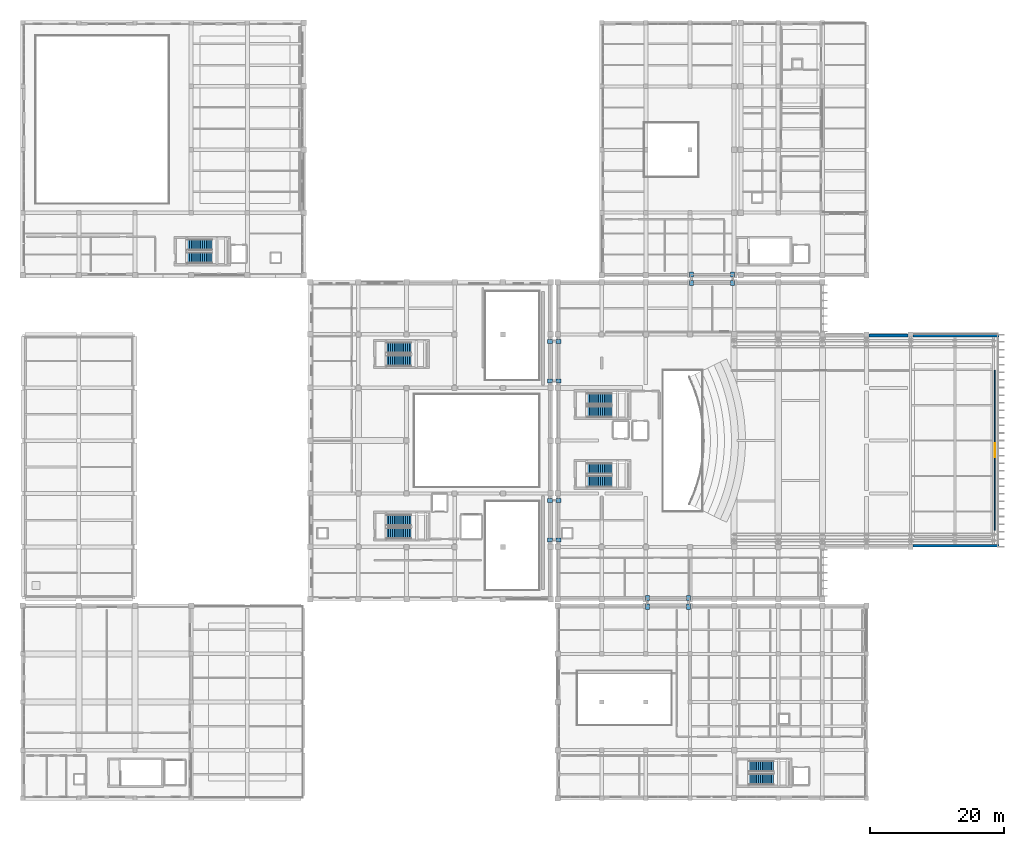
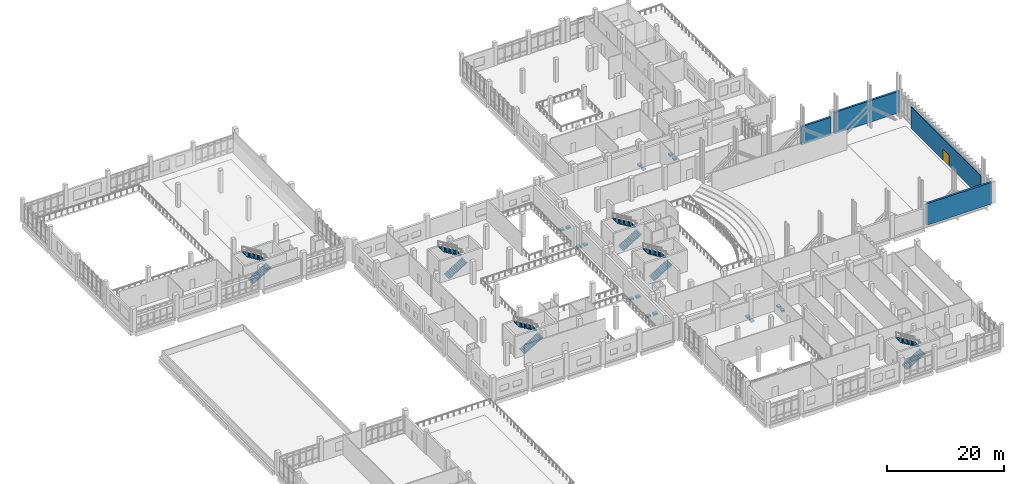
# One storey, part 57 of 73: 16 discrete accessories, 12 stair flights, 4 walls, 1 door, 1 opening, 6 elements without a shape of their own.
"""IFC4 building model written with IfcOpenShell, lengths in metres."""

from ifc_helpers import new_model, si_unit, direction, frame, frame_2d, origin, origin_2d, place, context, subcontext, project, spatial, polyline, rectangle, outline, extrude, material, layer, layer_set, type_object, element, fill, aggregate, save


model = new_model("IFC4")

# Units and contexts
model_context = context("Model", 3, precision=1e-05, world=origin(), true_north=direction((0.0, 1.0)))
body_context = subcontext(model_context, "Body", "Model", "MODEL_VIEW")
ifc_project = project(units=[si_unit("LENGTHUNIT", "METRE"), si_unit("AREAUNIT", "SQUARE_METRE"), si_unit("VOLUMEUNIT", "CUBIC_METRE"), si_unit("PLANEANGLEUNIT", "RADIAN"), si_unit("MASSUNIT", "GRAM", prefix="KILO")], contexts=[model_context])

# Site, building, storey
site_placement = place(None, origin())
site = spatial("IfcSite", under=ifc_project, at=site_placement, CompositionType="ELEMENT")
building_placement = place(site_placement, origin())
building = spatial("IfcBuilding", under=site, at=building_placement, Name="Kelarvand Opera House", CompositionType="ELEMENT")
storey_placement = place(building_placement, frame((0.0, 0.0, 10.199951171875)))
storey = spatial("IfcBuildingStorey", under=building, at=storey_placement, Name="L02", CompositionType="ELEMENT", Elevation=10.199951171875)

# Walls
ifc_material_1 = material(Name="Concrete C35/45", Category="concrete")
ifc_layer_1 = layer(ifc_material_1, 0.39990234375, Name="Concrete C35/45", Category="concrete")
ifc_layer_set_1 = layer_set([ifc_layer_1], Name="Concrete C35/45")
wall_type_1 = type_object("IfcWallType", Name="Acoustic Brick-Travertine Double Wall 400", PredefinedType="SOLIDWALL", material=ifc_layer_set_1)
wall_1_placement = place(storey_placement, frame((135.574951171875, 78.219970703125, 0.0), z_axis=(0.0, 0.0, 1.0), x_axis=(1.0, 0.0, 0.0)))
element("IfcWall", 1, at=wall_1_placement, inside=storey, type_object=wall_type_1, Name="V1 L02 Exterior Wall EW-400 (124)", PredefinedType="SOLIDWALL", context=body_context, shape_type="SweptSolid", body=[
    extrude(rectangle(XDim=5.85009765625, YDim=0.39990234375, at=frame_2d((2.925048828125, 0.0))), origin(), (0.0, 0.0, 1.0), 3.77197265625),
])
for number, where, z_axis, x_axis, name in (
    (2, (142.175048828125, 78.219970703125, 0.0), (0.0, 0.0, 1.0), (1.0, 0.0, 0.0), "V1 L02 Exterior Wall EW-400 (125)"),
    (3, (155.0, 46.780029296875, 0.0), (0.0, 0.0, 1.0), (-1.0, 0.0, 0.0), "V1 L02 Exterior Wall EW-400 (126)"),
):
    element("IfcWall", number, at=place(storey_placement, frame(where, z_axis=z_axis, x_axis=x_axis)), inside=storey, type_object=wall_type_1, Name=name, PredefinedType="SOLIDWALL", context=body_context, shape_type="SweptSolid", body=[
        extrude(rectangle(XDim=12.824951171875, YDim=0.39990234375, at=frame_2d((6.41259765625, 0.0))), origin(), (0.0, 0.0, 1.0), 4.5),
    ])

# Wall, opening, door
ifc_layer_2 = layer(ifc_material_1, 0.179931640625, Name="Concrete C35/45", Category="concrete")
ifc_layer_set_2 = layer_set([ifc_layer_2], Name="Concrete C35/45")
wall_type_2 = type_object("IfcWallType", Name="Corridor Fire-Rated Partition Wall 180 EI90", PredefinedType="PARTITIONING", material=ifc_layer_set_2)
wall_2_placement = place(storey_placement, frame((154.39990234375, 49.10009765625, 0.0), z_axis=(0.0, 0.0, 1.0), x_axis=(0.0, 1.0, 0.0)))
wall_2 = element("IfcWall", 4, at=wall_2_placement, inside=storey, type_object=wall_type_2, Name="V1 L02 Partition Wall IW-90 (475)", PredefinedType="PARTITIONING", context=body_context, shape_type="SweptSolid", body=[
    extrude(rectangle(XDim=23.89990234375, YDim=0.179931640625, at=frame_2d((11.949951171875, 0.0))), origin(), (0.0, 0.0, 1.0), 4.47216796875),
])
opening_placement = place(wall_2_placement, frame((10.89990234375, 0.0, 0.0)))
opening = element("IfcOpeningElement", 5, at=opening_placement, cuts=wall_2, Name="Opening D-08", PredefinedType="OPENING", context=body_context, shape_type="SweptSolid", body=[
    extrude(rectangle(XDim=2.10009765625, YDim=2.25, at=frame_2d((1.050048828125, 1.125))), frame((0.0, 0.10009765625, 0.0), z_axis=(0.0, -1.0, 0.0), x_axis=(1.0, 0.0, 0.0)), (0.0, 0.0, 1.0), 0.199951171875),
])
ifc_material_2 = material(Name="Acoustic walnut-veneered hardwood", Category="wood")
door_type = type_object("IfcDoorType", Name="Foyer Intermission Double Glazed Door 2100x2250", OperationType="NOTDEFINED", PredefinedType="DOOR", material=ifc_material_2)
door_placement = place(opening_placement, origin())
door = element("IfcDoor", 6, at=door_placement, inside=storey, type_object=door_type, Name="V1 L02 Door D-08 (209)", OperationType="DOUBLE_DOOR_SINGLE_SWING", OverallHeight=2.25, OverallWidth=2.10009765625, PredefinedType="DOOR", context=body_context, shape_type="SweptSolid", body=[
    extrude(rectangle(XDim=2.10009765625, YDim=2.25, at=frame_2d((1.050048828125, 1.125))), frame((0.0, 0.02490234375, 0.0), z_axis=(0.0, -1.0, 0.0), x_axis=(1.0, 0.0, 0.0)), (0.0, 0.0, 1.0), 0.050048828125),
])
fill(opening, door)

# Stair, stair flights
stair_type = type_object("IfcStairType", Name="Dogleg Concrete Exit Stair 1660mm 28R STA-01", PredefinedType="HALF_TURN_STAIR", material=ifc_material_1)
stair_1_placement = place(storey_placement, origin())
stair_1 = element("IfcStair", 7, at=stair_1_placement, inside=storey, type_object=stair_type, Name="L02 Auditorium North Firefighting and Public Core C1 Stair ST-01", PredefinedType="HALF_TURN_STAIR")
stair_flight_type = type_object("IfcStairFlightType", Name="Precast Stair Flight 1660mm 14x171mm STF-01", PredefinedType="STRAIGHT", material=ifc_material_1)
stair_flight_1_placement = place(storey_placement, frame((93.4599609375, 66.830078125, 0.0), z_axis=(0.0, 0.0, 1.0), x_axis=(1.0, 0.0, 0.0)))
stair_flight_1 = element("IfcStairFlight", 8, at=stair_flight_1_placement, type_object=stair_flight_type, Name="ST-01 flight 1", NumberOfRisers=14, NumberOfTreads=13, PredefinedType="STRAIGHT", RiserHeight=0.171428571, TreadLength=0.28, context=body_context, shape_type="SweptSolid", body=[
    extrude(outline(polyline([(0.0, 0.0), (0.0, 0.17138671875), (0.280029296875, 0.17138671875), (0.280029296875, 0.3427734375), (0.56005859375, 0.3427734375), (0.56005859375, 0.514404296875), (0.840087890625, 0.514404296875), (0.840087890625, 0.685791015625), (1.1201171875, 0.685791015625), (1.1201171875, 0.857177734375), (1.39990234375, 0.857177734375), (1.39990234375, 1.028564453125), (1.679931640625, 1.028564453125), (1.679931640625, 1.199951171875), (1.9599609375, 1.199951171875), (1.9599609375, 1.371337890625), (2.239990234375, 1.371337890625), (2.239990234375, 1.54296875), (2.52001953125, 1.54296875), (2.52001953125, 1.71435546875), (2.800048828125, 1.71435546875), (2.800048828125, 1.8857421875), (3.080078125, 1.8857421875), (3.080078125, 2.05712890625), (3.360107421875, 2.05712890625), (3.360107421875, 2.228515625), (3.639892578125, 2.228515625), (3.639892578125, 2.39990234375), (3.639892578125, 2.041015625), (0.30615234375, 0.0), (0.0, 0.0)])), frame((0.0, 0.830078125, 0.0), z_axis=(0.0, -1.0, 0.0), x_axis=(1.0, 0.0, 0.0)), (0.0, 0.0, 1.0), 1.659912109375),
])
stair_flight_2_placement = place(storey_placement, frame((97.10009765625, 68.77001953125, 2.400146484375), z_axis=(0.0, 0.0, 1.0), x_axis=(-1.0, 0.0, 0.0)))
stair_flight_2 = element("IfcStairFlight", 9, at=stair_flight_2_placement, type_object=stair_flight_type, Name="ST-01 flight 2", NumberOfRisers=14, NumberOfTreads=13, PredefinedType="STRAIGHT", RiserHeight=0.171428571, TreadLength=0.28, context=body_context, shape_type="SweptSolid", body=[
    extrude(outline(polyline([(0.0, 0.0), (0.0, 0.17138671875), (0.280029296875, 0.17138671875), (0.280029296875, 0.3427734375), (0.56005859375, 0.3427734375), (0.56005859375, 0.514404296875), (0.840087890625, 0.514404296875), (0.840087890625, 0.685791015625), (1.1201171875, 0.685791015625), (1.1201171875, 0.857177734375), (1.39990234375, 0.857177734375), (1.39990234375, 1.028564453125), (1.679931640625, 1.028564453125), (1.679931640625, 1.199951171875), (1.9599609375, 1.199951171875), (1.9599609375, 1.371337890625), (2.239990234375, 1.371337890625), (2.239990234375, 1.54296875), (2.52001953125, 1.54296875), (2.52001953125, 1.71435546875), (2.800048828125, 1.71435546875), (2.800048828125, 1.8857421875), (3.080078125, 1.8857421875), (3.080078125, 2.05712890625), (3.360107421875, 2.05712890625), (3.360107421875, 2.228515625), (3.639892578125, 2.228515625), (3.639892578125, 2.39990234375), (3.639892578125, 2.041015625), (0.30615234375, 0.0), (0.0, 0.0)])), frame((0.0, 0.830078125, 0.0), z_axis=(0.0, -1.0, 0.0), x_axis=(1.0, 0.0, 0.0)), (0.0, 0.0, 1.0), 1.659912109375),
])
aggregate(stair_1, [stair_flight_1, stair_flight_2])

stair_2_placement = place(storey_placement, origin())
stair_2 = element("IfcStair", 10, at=stair_2_placement, inside=storey, type_object=stair_type, Name="L02 Stage House South Firefighting and Goods Core C2 Stair ST-02", PredefinedType="HALF_TURN_STAIR")
stair_flight_3_placement = place(storey_placement, frame((63.4599609375, 48.6298828125, 0.0), z_axis=(0.0, 0.0, 1.0), x_axis=(1.0, 0.0, 0.0)))
stair_flight_3 = element("IfcStairFlight", 11, at=stair_flight_3_placement, type_object=stair_flight_type, Name="ST-02 flight 1", NumberOfRisers=14, NumberOfTreads=13, PredefinedType="STRAIGHT", RiserHeight=0.171428571, TreadLength=0.28, context=body_context, shape_type="SweptSolid", body=[
    extrude(outline(polyline([(0.0, 0.0), (0.0, 0.17138671875), (0.280029296875, 0.17138671875), (0.280029296875, 0.3427734375), (0.56005859375, 0.3427734375), (0.56005859375, 0.514404296875), (0.840087890625, 0.514404296875), (0.840087890625, 0.685791015625), (1.1201171875, 0.685791015625), (1.1201171875, 0.857177734375), (1.39990234375, 0.857177734375), (1.39990234375, 1.028564453125), (1.679931640625, 1.028564453125), (1.679931640625, 1.199951171875), (1.9599609375, 1.199951171875), (1.9599609375, 1.371337890625), (2.239990234375, 1.371337890625), (2.239990234375, 1.54296875), (2.52001953125, 1.54296875), (2.52001953125, 1.71435546875), (2.800048828125, 1.71435546875), (2.800048828125, 1.8857421875), (3.080078125, 1.8857421875), (3.080078125, 2.05712890625), (3.360107421875, 2.05712890625), (3.360107421875, 2.228515625), (3.639892578125, 2.228515625), (3.639892578125, 2.39990234375), (3.639892578125, 2.041015625), (0.30615234375, 0.0), (0.0, 0.0)])), frame((0.0, 0.830078125, 0.0), z_axis=(0.0, -1.0, 0.0), x_axis=(1.0, 0.0, 0.0)), (0.0, 0.0, 1.0), 1.659912109375),
])
stair_flight_4_placement = place(storey_placement, frame((67.10009765625, 50.570068359375, 2.400146484375), z_axis=(0.0, 0.0, 1.0), x_axis=(-1.0, 0.0, 0.0)))
stair_flight_4 = element("IfcStairFlight", 12, at=stair_flight_4_placement, type_object=stair_flight_type, Name="ST-02 flight 2", NumberOfRisers=14, NumberOfTreads=13, PredefinedType="STRAIGHT", RiserHeight=0.171428571, TreadLength=0.28, context=body_context, shape_type="SweptSolid", body=[
    extrude(outline(polyline([(0.0, 0.0), (0.0, 0.17138671875), (0.280029296875, 0.17138671875), (0.280029296875, 0.3427734375), (0.56005859375, 0.3427734375), (0.56005859375, 0.514404296875), (0.840087890625, 0.514404296875), (0.840087890625, 0.685791015625), (1.1201171875, 0.685791015625), (1.1201171875, 0.857177734375), (1.39990234375, 0.857177734375), (1.39990234375, 1.028564453125), (1.679931640625, 1.028564453125), (1.679931640625, 1.199951171875), (1.9599609375, 1.199951171875), (1.9599609375, 1.371337890625), (2.239990234375, 1.371337890625), (2.239990234375, 1.54296875), (2.52001953125, 1.54296875), (2.52001953125, 1.71435546875), (2.800048828125, 1.71435546875), (2.800048828125, 1.8857421875), (3.080078125, 1.8857421875), (3.080078125, 2.05712890625), (3.360107421875, 2.05712890625), (3.360107421875, 2.228515625), (3.639892578125, 2.228515625), (3.639892578125, 2.39990234375), (3.639892578125, 2.041015625), (0.30615234375, 0.0), (0.0, 0.0)])), frame((0.0, 0.830078125, 0.0), z_axis=(0.0, -1.0, 0.0), x_axis=(1.0, 0.0, 0.0)), (0.0, 0.0, 1.0), 1.659912109375),
])
aggregate(stair_2, [stair_flight_3, stair_flight_4])

stair_3_placement = place(storey_placement, origin())
stair_3 = element("IfcStair", 13, at=stair_3_placement, inside=storey, type_object=stair_type, Name="L02 Fly Tower North Technical Core C3 Stair ST-03", PredefinedType="HALF_TURN_STAIR")
stair_flight_5_placement = place(storey_placement, frame((63.4599609375, 74.429931640625, 0.0), z_axis=(0.0, 0.0, 1.0), x_axis=(1.0, 0.0, 0.0)))
stair_flight_5 = element("IfcStairFlight", 14, at=stair_flight_5_placement, type_object=stair_flight_type, Name="ST-03 flight 1", NumberOfRisers=14, NumberOfTreads=13, PredefinedType="STRAIGHT", RiserHeight=0.171428571, TreadLength=0.28, context=body_context, shape_type="SweptSolid", body=[
    extrude(outline(polyline([(0.0, 0.0), (0.0, 0.17138671875), (0.280029296875, 0.17138671875), (0.280029296875, 0.3427734375), (0.56005859375, 0.3427734375), (0.56005859375, 0.514404296875), (0.840087890625, 0.514404296875), (0.840087890625, 0.685791015625), (1.1201171875, 0.685791015625), (1.1201171875, 0.857177734375), (1.39990234375, 0.857177734375), (1.39990234375, 1.028564453125), (1.679931640625, 1.028564453125), (1.679931640625, 1.199951171875), (1.9599609375, 1.199951171875), (1.9599609375, 1.371337890625), (2.239990234375, 1.371337890625), (2.239990234375, 1.54296875), (2.52001953125, 1.54296875), (2.52001953125, 1.71435546875), (2.800048828125, 1.71435546875), (2.800048828125, 1.8857421875), (3.080078125, 1.8857421875), (3.080078125, 2.05712890625), (3.360107421875, 2.05712890625), (3.360107421875, 2.228515625), (3.639892578125, 2.228515625), (3.639892578125, 2.39990234375), (3.639892578125, 2.041015625), (0.30615234375, 0.0), (0.0, 0.0)])), frame((0.0, 0.830078125, 0.0), z_axis=(0.0, -1.0, 0.0), x_axis=(1.0, 0.0, 0.0)), (0.0, 0.0, 1.0), 1.659912109375),
])
stair_flight_6_placement = place(storey_placement, frame((67.10009765625, 76.3701171875, 2.400146484375), z_axis=(0.0, 0.0, 1.0), x_axis=(-1.0, 0.0, 0.0)))
stair_flight_6 = element("IfcStairFlight", 15, at=stair_flight_6_placement, type_object=stair_flight_type, Name="ST-03 flight 2", NumberOfRisers=14, NumberOfTreads=13, PredefinedType="STRAIGHT", RiserHeight=0.171428571, TreadLength=0.28, context=body_context, shape_type="SweptSolid", body=[
    extrude(outline(polyline([(0.0, 0.0), (0.0, 0.17138671875), (0.280029296875, 0.17138671875), (0.280029296875, 0.3427734375), (0.56005859375, 0.3427734375), (0.56005859375, 0.514404296875), (0.840087890625, 0.514404296875), (0.840087890625, 0.685791015625), (1.1201171875, 0.685791015625), (1.1201171875, 0.857177734375), (1.39990234375, 0.857177734375), (1.39990234375, 1.028564453125), (1.679931640625, 1.028564453125), (1.679931640625, 1.199951171875), (1.9599609375, 1.199951171875), (1.9599609375, 1.371337890625), (2.239990234375, 1.371337890625), (2.239990234375, 1.54296875), (2.52001953125, 1.54296875), (2.52001953125, 1.71435546875), (2.800048828125, 1.71435546875), (2.800048828125, 1.8857421875), (3.080078125, 1.8857421875), (3.080078125, 2.05712890625), (3.360107421875, 2.05712890625), (3.360107421875, 2.228515625), (3.639892578125, 2.228515625), (3.639892578125, 2.39990234375), (3.639892578125, 2.041015625), (0.30615234375, 0.0), (0.0, 0.0)])), frame((0.0, 0.830078125, 0.0), z_axis=(0.0, -1.0, 0.0), x_axis=(1.0, 0.0, 0.0)), (0.0, 0.0, 1.0), 1.659912109375),
])
aggregate(stair_3, [stair_flight_5, stair_flight_6])

stair_4_placement = place(storey_placement, origin())
stair_4 = element("IfcStair", 16, at=stair_4_placement, inside=storey, type_object=stair_type, Name="L02 Auditorium South Foyer Core C4 Stair ST-04", PredefinedType="HALF_TURN_STAIR")
stair_flight_7_placement = place(storey_placement, frame((93.4599609375, 56.3798828125, 0.0), z_axis=(0.0, 0.0, 1.0), x_axis=(1.0, 0.0, 0.0)))
stair_flight_7 = element("IfcStairFlight", 17, at=stair_flight_7_placement, type_object=stair_flight_type, Name="ST-04 flight 1", NumberOfRisers=14, NumberOfTreads=13, PredefinedType="STRAIGHT", RiserHeight=0.171428571, TreadLength=0.28, context=body_context, shape_type="SweptSolid", body=[
    extrude(outline(polyline([(0.0, 0.0), (0.0, 0.17138671875), (0.280029296875, 0.17138671875), (0.280029296875, 0.3427734375), (0.56005859375, 0.3427734375), (0.56005859375, 0.514404296875), (0.840087890625, 0.514404296875), (0.840087890625, 0.685791015625), (1.1201171875, 0.685791015625), (1.1201171875, 0.857177734375), (1.39990234375, 0.857177734375), (1.39990234375, 1.028564453125), (1.679931640625, 1.028564453125), (1.679931640625, 1.199951171875), (1.9599609375, 1.199951171875), (1.9599609375, 1.371337890625), (2.239990234375, 1.371337890625), (2.239990234375, 1.54296875), (2.52001953125, 1.54296875), (2.52001953125, 1.71435546875), (2.800048828125, 1.71435546875), (2.800048828125, 1.8857421875), (3.080078125, 1.8857421875), (3.080078125, 2.05712890625), (3.360107421875, 2.05712890625), (3.360107421875, 2.228515625), (3.639892578125, 2.228515625), (3.639892578125, 2.39990234375), (3.639892578125, 2.041015625), (0.30615234375, 0.0), (0.0, 0.0)])), frame((0.0, 0.830078125, 0.0), z_axis=(0.0, -1.0, 0.0), x_axis=(1.0, 0.0, 0.0)), (0.0, 0.0, 1.0), 1.659912109375),
])
stair_flight_8_placement = place(storey_placement, frame((97.10009765625, 58.320068359375, 2.400146484375), z_axis=(0.0, 0.0, 1.0), x_axis=(-1.0, 0.0, 0.0)))
stair_flight_8 = element("IfcStairFlight", 18, at=stair_flight_8_placement, type_object=stair_flight_type, Name="ST-04 flight 2", NumberOfRisers=14, NumberOfTreads=13, PredefinedType="STRAIGHT", RiserHeight=0.171428571, TreadLength=0.28, context=body_context, shape_type="SweptSolid", body=[
    extrude(outline(polyline([(0.0, 0.0), (0.0, 0.17138671875), (0.280029296875, 0.17138671875), (0.280029296875, 0.3427734375), (0.56005859375, 0.3427734375), (0.56005859375, 0.514404296875), (0.840087890625, 0.514404296875), (0.840087890625, 0.685791015625), (1.1201171875, 0.685791015625), (1.1201171875, 0.857177734375), (1.39990234375, 0.857177734375), (1.39990234375, 1.028564453125), (1.679931640625, 1.028564453125), (1.679931640625, 1.199951171875), (1.9599609375, 1.199951171875), (1.9599609375, 1.371337890625), (2.239990234375, 1.371337890625), (2.239990234375, 1.54296875), (2.52001953125, 1.54296875), (2.52001953125, 1.71435546875), (2.800048828125, 1.71435546875), (2.800048828125, 1.8857421875), (3.080078125, 1.8857421875), (3.080078125, 2.05712890625), (3.360107421875, 2.05712890625), (3.360107421875, 2.228515625), (3.639892578125, 2.228515625), (3.639892578125, 2.39990234375), (3.639892578125, 2.041015625), (0.30615234375, 0.0), (0.0, 0.0)])), frame((0.0, 0.830078125, 0.0), z_axis=(0.0, -1.0, 0.0), x_axis=(1.0, 0.0, 0.0)), (0.0, 0.0, 1.0), 1.659912109375),
])
aggregate(stair_4, [stair_flight_7, stair_flight_8])

stair_5_placement = place(storey_placement, origin())
stair_5 = element("IfcStair", 19, at=stair_5_placement, inside=storey, type_object=stair_type, Name="L02 Rehearsal Pavilion Core C5 Stair ST-05", PredefinedType="HALF_TURN_STAIR")
stair_flight_9_placement = place(storey_placement, frame((33.659912109375, 89.830078125, 0.0), z_axis=(0.0, 0.0, 1.0), x_axis=(1.0, 0.0, 0.0)))
stair_flight_9 = element("IfcStairFlight", 20, at=stair_flight_9_placement, type_object=stair_flight_type, Name="ST-05 flight 1", NumberOfRisers=14, NumberOfTreads=13, PredefinedType="STRAIGHT", RiserHeight=0.171428571, TreadLength=0.28, context=body_context, shape_type="SweptSolid", body=[
    extrude(outline(polyline([(0.0, 0.0), (0.0, 0.17138671875), (0.280029296875, 0.17138671875), (0.280029296875, 0.3427734375), (0.56005859375, 0.3427734375), (0.56005859375, 0.514404296875), (0.840087890625, 0.514404296875), (0.840087890625, 0.685791015625), (1.1201171875, 0.685791015625), (1.1201171875, 0.857177734375), (1.39990234375, 0.857177734375), (1.39990234375, 1.028564453125), (1.679931640625, 1.028564453125), (1.679931640625, 1.199951171875), (1.9599609375, 1.199951171875), (1.9599609375, 1.371337890625), (2.239990234375, 1.371337890625), (2.239990234375, 1.54296875), (2.52001953125, 1.54296875), (2.52001953125, 1.71435546875), (2.800048828125, 1.71435546875), (2.800048828125, 1.8857421875), (3.080078125, 1.8857421875), (3.080078125, 2.05712890625), (3.360107421875, 2.05712890625), (3.360107421875, 2.228515625), (3.639892578125, 2.228515625), (3.639892578125, 2.39990234375), (3.639892578125, 2.041015625), (0.30615234375, 0.0), (0.0, 0.0)])), frame((0.0, 0.830078125, 0.0), z_axis=(0.0, -1.0, 0.0), x_axis=(1.0, 0.0, 0.0)), (0.0, 0.0, 1.0), 1.659912109375),
])
stair_flight_10_placement = place(storey_placement, frame((37.300048828125, 91.77001953125, 2.400146484375), z_axis=(0.0, 0.0, 1.0), x_axis=(-1.0, 0.0, 0.0)))
stair_flight_10 = element("IfcStairFlight", 21, at=stair_flight_10_placement, type_object=stair_flight_type, Name="ST-05 flight 2", NumberOfRisers=14, NumberOfTreads=13, PredefinedType="STRAIGHT", RiserHeight=0.171428571, TreadLength=0.28, context=body_context, shape_type="SweptSolid", body=[
    extrude(outline(polyline([(0.0, 0.0), (0.0, 0.17138671875), (0.280029296875, 0.17138671875), (0.280029296875, 0.3427734375), (0.56005859375, 0.3427734375), (0.56005859375, 0.514404296875), (0.840087890625, 0.514404296875), (0.840087890625, 0.685791015625), (1.1201171875, 0.685791015625), (1.1201171875, 0.857177734375), (1.39990234375, 0.857177734375), (1.39990234375, 1.028564453125), (1.679931640625, 1.028564453125), (1.679931640625, 1.199951171875), (1.9599609375, 1.199951171875), (1.9599609375, 1.371337890625), (2.239990234375, 1.371337890625), (2.239990234375, 1.54296875), (2.52001953125, 1.54296875), (2.52001953125, 1.71435546875), (2.800048828125, 1.71435546875), (2.800048828125, 1.8857421875), (3.080078125, 1.8857421875), (3.080078125, 2.05712890625), (3.360107421875, 2.05712890625), (3.360107421875, 2.228515625), (3.639892578125, 2.228515625), (3.639892578125, 2.39990234375), (3.639892578125, 2.041015625), (0.30615234375, 0.0), (0.0, 0.0)])), frame((0.0, 0.830078125, 0.0), z_axis=(0.0, -1.0, 0.0), x_axis=(1.0, 0.0, 0.0)), (0.0, 0.0, 1.0), 1.659912109375),
])
aggregate(stair_5, [stair_flight_9, stair_flight_10])

stair_6_placement = place(storey_placement, origin())
stair_6 = element("IfcStair", 22, at=stair_6_placement, inside=storey, type_object=stair_type, Name="L02 South Dressing and Production Core C8 Stair ST-08", PredefinedType="HALF_TURN_STAIR")
stair_flight_11_placement = place(storey_placement, frame((117.659912109375, 11.830078125, 0.0), z_axis=(0.0, 0.0, 1.0), x_axis=(1.0, 0.0, 0.0)))
stair_flight_11 = element("IfcStairFlight", 23, at=stair_flight_11_placement, type_object=stair_flight_type, Name="ST-08 flight 1", NumberOfRisers=14, NumberOfTreads=13, PredefinedType="STRAIGHT", RiserHeight=0.171428571, TreadLength=0.28, context=body_context, shape_type="SweptSolid", body=[
    extrude(outline(polyline([(0.0, 0.0), (0.0, 0.17138671875), (0.280029296875, 0.17138671875), (0.280029296875, 0.3427734375), (0.56005859375, 0.3427734375), (0.56005859375, 0.514404296875), (0.840087890625, 0.514404296875), (0.840087890625, 0.685791015625), (1.1201171875, 0.685791015625), (1.1201171875, 0.857177734375), (1.39990234375, 0.857177734375), (1.39990234375, 1.028564453125), (1.679931640625, 1.028564453125), (1.679931640625, 1.199951171875), (1.9599609375, 1.199951171875), (1.9599609375, 1.371337890625), (2.239990234375, 1.371337890625), (2.239990234375, 1.54296875), (2.52001953125, 1.54296875), (2.52001953125, 1.71435546875), (2.800048828125, 1.71435546875), (2.800048828125, 1.8857421875), (3.080078125, 1.8857421875), (3.080078125, 2.05712890625), (3.360107421875, 2.05712890625), (3.360107421875, 2.228515625), (3.639892578125, 2.228515625), (3.639892578125, 2.39990234375), (3.639892578125, 2.041015625), (0.30615234375, 0.0), (0.0, 0.0)])), frame((0.0, 0.830078125, 0.0), z_axis=(0.0, -1.0, 0.0), x_axis=(1.0, 0.0, 0.0)), (0.0, 0.0, 1.0), 1.659912109375),
])
stair_flight_12_placement = place(storey_placement, frame((121.300048828125, 13.77001953125, 2.400146484375), z_axis=(0.0, 0.0, 1.0), x_axis=(-1.0, 0.0, 0.0)))
stair_flight_12 = element("IfcStairFlight", 24, at=stair_flight_12_placement, type_object=stair_flight_type, Name="ST-08 flight 2", NumberOfRisers=14, NumberOfTreads=13, PredefinedType="STRAIGHT", RiserHeight=0.171428571, TreadLength=0.28, context=body_context, shape_type="SweptSolid", body=[
    extrude(outline(polyline([(0.0, 0.0), (0.0, 0.17138671875), (0.280029296875, 0.17138671875), (0.280029296875, 0.3427734375), (0.56005859375, 0.3427734375), (0.56005859375, 0.514404296875), (0.840087890625, 0.514404296875), (0.840087890625, 0.685791015625), (1.1201171875, 0.685791015625), (1.1201171875, 0.857177734375), (1.39990234375, 0.857177734375), (1.39990234375, 1.028564453125), (1.679931640625, 1.028564453125), (1.679931640625, 1.199951171875), (1.9599609375, 1.199951171875), (1.9599609375, 1.371337890625), (2.239990234375, 1.371337890625), (2.239990234375, 1.54296875), (2.52001953125, 1.54296875), (2.52001953125, 1.71435546875), (2.800048828125, 1.71435546875), (2.800048828125, 1.8857421875), (3.080078125, 1.8857421875), (3.080078125, 2.05712890625), (3.360107421875, 2.05712890625), (3.360107421875, 2.228515625), (3.639892578125, 2.228515625), (3.639892578125, 2.39990234375), (3.639892578125, 2.041015625), (0.30615234375, 0.0), (0.0, 0.0)])), frame((0.0, 0.830078125, 0.0), z_axis=(0.0, -1.0, 0.0), x_axis=(1.0, 0.0, 0.0)), (0.0, 0.0, 1.0), 1.659912109375),
])
aggregate(stair_6, [stair_flight_11, stair_flight_12])

# Discrete accessories
ifc_material_3 = material(Name="Concrete C40/50", Category="concrete")
discrete_accessory_type = type_object("IfcDiscreteAccessoryType", Name="Seismic Bridge RC Corbel Seat 750mm with 250mm PTFE Sliding Bearing", PredefinedType="SHOE", material=ifc_material_3)
for number, where, z_axis, x_axis, name in (
    (25, (87.85009765625, 71.449951171875, -0.675048828125), (0.0, 0.0, 1.0), (1.0, 0.0, 0.0), "Seismic Bridge 750mm Corbel Seat & 250mm PTFE Bearing BR-JP-N L02 1.1"),
    (26, (89.14990234375, 71.449951171875, -0.675048828125), (0.0, 0.0, 1.0), (1.0, 0.0, 0.0), "Seismic Bridge 750mm Corbel Seat & 250mm PTFE Bearing BR-JP-N L02 1.2"),
    (27, (87.85009765625, 77.35009765625, -0.675048828125), (0.0, 0.0, 1.0), (1.0, 0.0, 0.0), "Seismic Bridge 750mm Corbel Seat & 250mm PTFE Bearing BR-JP-N L02 2.1"),
    (28, (89.14990234375, 77.35009765625, -0.675048828125), (0.0, 0.0, 1.0), (1.0, 0.0, 0.0), "Seismic Bridge 750mm Corbel Seat & 250mm PTFE Bearing BR-JP-N L02 2.2"),
    (29, (87.85009765625, 47.64990234375, -0.675048828125), (0.0, 0.0, 1.0), (1.0, 0.0, 0.0), "Seismic Bridge 750mm Corbel Seat & 250mm PTFE Bearing BR-JP-S L02 1.1"),
    (30, (89.14990234375, 47.64990234375, -0.675048828125), (0.0, 0.0, 1.0), (1.0, 0.0, 0.0), "Seismic Bridge 750mm Corbel Seat & 250mm PTFE Bearing BR-JP-S L02 1.2"),
    (31, (87.85009765625, 53.550048828125, -0.675048828125), (0.0, 0.0, 1.0), (1.0, 0.0, 0.0), "Seismic Bridge 750mm Corbel Seat & 250mm PTFE Bearing BR-JP-S L02 2.1"),
    (32, (89.14990234375, 53.550048828125, -0.675048828125), (0.0, 0.0, 1.0), (1.0, 0.0, 0.0), "Seismic Bridge 750mm Corbel Seat & 250mm PTFE Bearing BR-JP-S L02 2.2"),
    (33, (102.449951171875, 37.64990234375, -0.675048828125), (0.0, 0.0, 1.0), (0.0, 1.0, 0.0), "Seismic Bridge 750mm Corbel Seat & 250mm PTFE Bearing BR-JS-E L02 1.1"),
    (34, (102.449951171875, 38.949951171875, -0.675048828125), (0.0, 0.0, 1.0), (0.0, 1.0, 0.0), "Seismic Bridge 750mm Corbel Seat & 250mm PTFE Bearing BR-JS-E L02 1.2"),
    (35, (108.550048828125, 37.64990234375, -0.675048828125), (0.0, 0.0, 1.0), (0.0, 1.0, 0.0), "Seismic Bridge 750mm Corbel Seat & 250mm PTFE Bearing BR-JS-E L02 2.1"),
    (36, (108.550048828125, 38.949951171875, -0.675048828125), (0.0, 0.0, 1.0), (0.0, 1.0, 0.0), "Seismic Bridge 750mm Corbel Seat & 250mm PTFE Bearing BR-JS-E L02 2.2"),
    (37, (109.050048828125, 86.050048828125, -0.675048828125), (0.0, 0.0, 1.0), (0.0, 1.0, 0.0), "Seismic Bridge 750mm Corbel Seat & 250mm PTFE Bearing BR-JN-E L02 1.1"),
    (38, (109.050048828125, 87.35009765625, -0.675048828125), (0.0, 0.0, 1.0), (0.0, 1.0, 0.0), "Seismic Bridge 750mm Corbel Seat & 250mm PTFE Bearing BR-JN-E L02 1.2"),
    (39, (115.14990234375, 86.050048828125, -0.675048828125), (0.0, 0.0, 1.0), (0.0, 1.0, 0.0), "Seismic Bridge 750mm Corbel Seat & 250mm PTFE Bearing BR-JN-E L02 2.1"),
    (40, (115.14990234375, 87.35009765625, -0.675048828125), (0.0, 0.0, 1.0), (0.0, 1.0, 0.0), "Seismic Bridge 750mm Corbel Seat & 250mm PTFE Bearing BR-JN-E L02 2.2"),
):
    element("IfcDiscreteAccessory", number, at=place(storey_placement, frame(where, z_axis=z_axis, x_axis=x_axis)), inside=storey, type_object=discrete_accessory_type, Name=name, PredefinedType="SHOE", context=body_context, shape_type="SweptSolid", body=[
        extrude(rectangle(XDim=0.75, YDim=0.60009765625, at=origin_2d()), origin(), (0.0, 0.0, 1.0), 0.35009765625),
    ])

save(model, "model.ifc")
